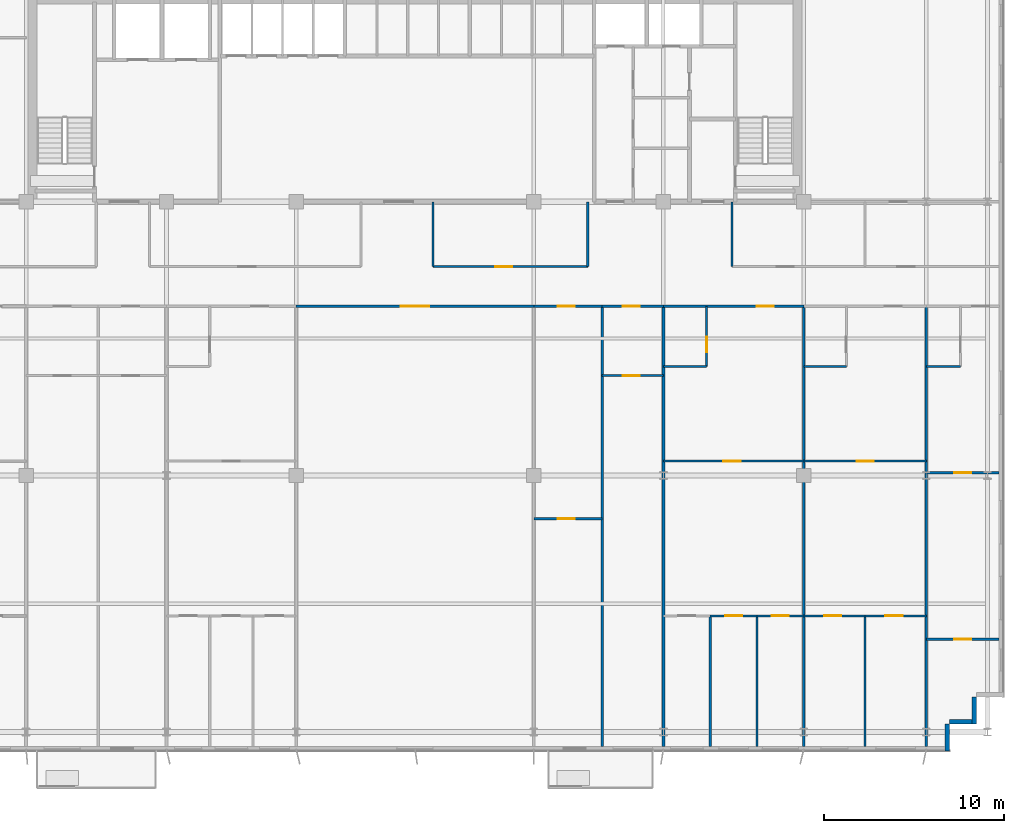
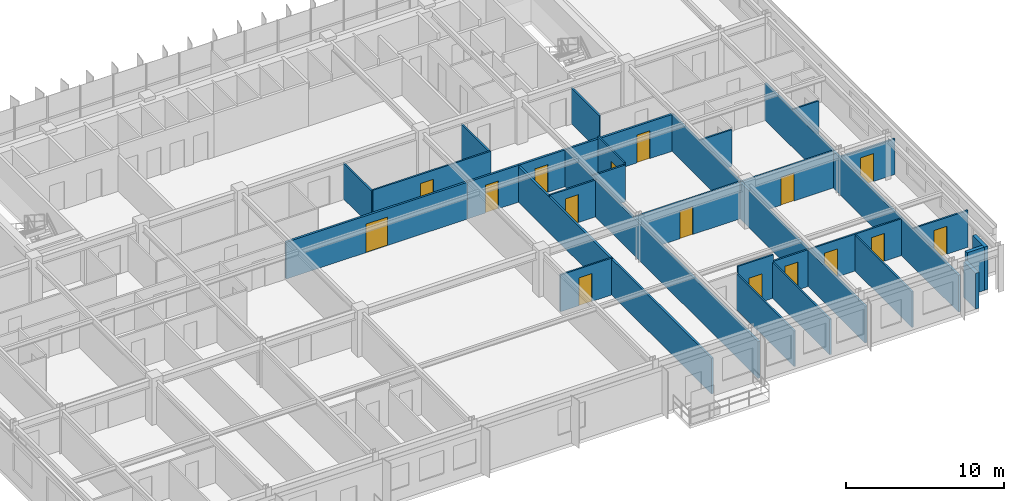
# One storey, part 16 of 22: 32 walls, 16 doors, 16 openings.
"""IFC4 building model written with IfcOpenShell, lengths in metres."""

import ifcopenshell
import ifcopenshell.guid

model = None  # the IFC model being written
_history = None  # IfcOwnerHistory: only IFC2X3 demands one
_inside = {}  # id of a spatial element -> (the spatial element, [elements in it])
_under = {}  # id of a project, library or spatial element -> (it, [spatial elements below it])
_declared = {}  # id of a project -> (the project, [libraries it declares])
_typed = {}  # id of a type object -> (the type object, [elements of that type])
_made_of = {}  # id of a material, layer set ... -> (it, [elements and type objects made of it])


def new_model(schema):
    """Start an empty IFC model of exactly this schema.

    Asked for "IFC4X3", IfcOpenShell would pick the latest addendum, in which some entities
    have other attributes; the version numbers below select the first issue.
    IFC2X3 requires an IfcOwnerHistory on every rooted entity: one is made here for all.
    """
    global model, _history
    if schema == "IFC4X3":
        model = ifcopenshell.file(schema_version=(4, 3, 0, 0))
    else:
        model = ifcopenshell.file(schema=schema)
    _inside.clear()
    _under.clear()
    _declared.clear()
    _typed.clear()
    _made_of.clear()
    _history = None
    if model.schema == "IFC2X3":
        org = make("IfcOrganization", Name="unknown")
        user = make(
            "IfcPersonAndOrganization",
            ThePerson=make("IfcPerson", FamilyName="unknown"),
            TheOrganization=org,
        )
        app = make(
            "IfcApplication",
            ApplicationDeveloper=org,
            Version="unknown",
            ApplicationFullName="unknown",
            ApplicationIdentifier="unknown",
        )
        _history = make(
            "IfcOwnerHistory",
            OwningUser=user,
            OwningApplication=app,
            ChangeAction="ADDED",
            CreationDate=0,
        )
    return model


def make(cls, **values):
    """One entity of the class cls with the attributes given. An attribute that is None is left unset."""
    return model.create_entity(
        cls, **{name: value for name, value in values.items() if value is not None}
    )


def rooted(cls, **values):
    """An entity with a GlobalId (a new one), such as an element, a storey or a relation."""
    return make(cls, GlobalId=ifcopenshell.guid.new(), OwnerHistory=_history, **values)


def si_unit(unit_type, name, prefix=None):
    """IfcSIUnit, for example si_unit("LENGTHUNIT", "METRE", prefix="MILLI")."""
    return make("IfcSIUnit", UnitType=unit_type, Prefix=prefix, Name=name)


def assignment(units):
    """IfcUnitAssignment: the units of a project."""
    return None if units is None else make("IfcUnitAssignment", Units=units)


def point(xyz):
    """IfcCartesianPoint."""
    return None if xyz is None else make("IfcCartesianPoint", Coordinates=xyz)


def direction(xyz):
    """IfcDirection."""
    return None if xyz is None else make("IfcDirection", DirectionRatios=xyz)


def frame(location, z_axis=None, x_axis=None):
    """IfcAxis2Placement3D, a coordinate frame: its origin and axes. An axis left out is left unset."""
    return make(
        "IfcAxis2Placement3D",
        Location=point(location),
        Axis=direction(z_axis),
        RefDirection=direction(x_axis),
    )


def frame_2d(location, x_axis=None):
    """IfcAxis2Placement2D, a coordinate frame in the plane: its origin and x axis."""
    return make(
        "IfcAxis2Placement2D", Location=point(location), RefDirection=direction(x_axis)
    )


def origin():
    """The frame at (0, 0, 0) with its axes left unset."""
    return frame((0.0, 0.0, 0.0))


def place(relative_to, where):
    """IfcLocalPlacement: puts the frame where relative to a parent placement (None: the world)."""
    return make(
        "IfcLocalPlacement", PlacementRelTo=relative_to, RelativePlacement=where
    )


def context(
    kind, dimensions, precision=None, world=None, true_north=None, identifier=None
):
    """IfcGeometricRepresentationContext, for example the 3D "Model" context."""
    return make(
        "IfcGeometricRepresentationContext",
        ContextIdentifier=identifier,
        ContextType=kind,
        CoordinateSpaceDimension=dimensions,
        Precision=precision,
        WorldCoordinateSystem=world,
        TrueNorth=true_north,
    )


def subcontext(parent, identifier, kind, view, scale=None):
    """IfcGeometricRepresentationSubContext, for example "Body" below "Model"."""
    return make(
        "IfcGeometricRepresentationSubContext",
        ContextIdentifier=identifier,
        ContextType=kind,
        ParentContext=parent,
        TargetScale=scale,
        TargetView=view,
    )


def project(units=None, contexts=None):
    """IfcProject with its units and contexts."""
    return rooted(
        "IfcProject",
        Name="project",
        RepresentationContexts=contexts,
        UnitsInContext=assignment(units),
    )


def spatial(cls, under=None, at=None, **own):
    """A site, building, storey or space (cls), placed at a placement, below another one or the project."""
    s = rooted(cls, ObjectPlacement=at, **own)
    if under is not None:
        _under.setdefault(under.id(), (under, []))[1].append(s)
    return s


def profile(cls, at=None, kind="AREA", **sizes):
    """A parametric profile (cls). Its sizes go by their IFC names, for example OverallWidth=200.0."""
    return make(cls, ProfileType=kind, Position=at, **sizes)


def rectangle(**sizes):
    """IfcRectangleProfileDef."""
    return profile("IfcRectangleProfileDef", **sizes)


def extrude(swept, where, along, depth):
    """IfcExtrudedAreaSolid: the profile swept, set in the frame where, extruded along a direction by depth."""
    return make(
        "IfcExtrudedAreaSolid",
        SweptArea=swept,
        Position=where,
        ExtrudedDirection=direction(along),
        Depth=depth,
    )


def shape(context_of_items, identifier, shape_type, items):
    """IfcShapeRepresentation: the items that make up one representation, for example the "Body"."""
    return make(
        "IfcShapeRepresentation",
        ContextOfItems=context_of_items,
        RepresentationIdentifier=identifier,
        RepresentationType=shape_type,
        Items=items,
    )


def source(mapping_origin, context_of_items, identifier, shape_type, items):
    """IfcRepresentationMap: a shape defined once, which mapped items show again and again."""
    return make(
        "IfcRepresentationMap",
        MappingOrigin=mapping_origin,
        MappedRepresentation=shape(context_of_items, identifier, shape_type, items),
    )


def transform(
    local_origin,
    x_axis=None,
    y_axis=None,
    z_axis=None,
    scale=None,
    scale2=None,
    scale3=None,
    uniform=True,
):
    """IfcCartesianTransformationOperator3D, or its non-uniform kind. x_axis, y_axis, z_axis: its Axis1, 2, 3."""
    if uniform:
        return make(
            "IfcCartesianTransformationOperator3D",
            Axis1=direction(x_axis),
            Axis2=direction(y_axis),
            LocalOrigin=point(local_origin),
            Scale=scale,
            Axis3=direction(z_axis),
        )
    return make(
        "IfcCartesianTransformationOperator3DnonUniform",
        Axis1=direction(x_axis),
        Axis2=direction(y_axis),
        LocalOrigin=point(local_origin),
        Scale=scale,
        Axis3=direction(z_axis),
        Scale2=scale2,
        Scale3=scale3,
    )


def mapped(mapping_source, mapping_target):
    """IfcMappedItem: shows the shape of a source again, moved by a transform."""
    return make(
        "IfcMappedItem", MappingSource=mapping_source, MappingTarget=mapping_target
    )


def material(Name=None, Category=None):
    """IfcMaterial."""
    return make("IfcMaterial", Name=Name, Category=Category)


def layer(
    of_material, thickness, ventilated=None, Name=None, Category=None, Priority=None
):
    """IfcMaterialLayer: one layer of a wall or slab, of a material (None: an air gap)."""
    return make(
        "IfcMaterialLayer",
        Material=of_material,
        LayerThickness=thickness,
        IsVentilated=ventilated,
        Name=Name,
        Category=Category,
        Priority=Priority,
    )


def layer_set(layers, Name=None):
    """IfcMaterialLayerSet."""
    return make("IfcMaterialLayerSet", MaterialLayers=layers, LayerSetName=Name)


def made_of(thing, what):
    """Note that an element or type object is made of a material, layer set ...; save() writes the relation."""
    if what is not None:
        _made_of.setdefault(what.id(), (what, []))[1].append(thing)
    return thing


def type_object(cls, material=None, **own):
    """A type object (cls), such as IfcWallType, which elements share."""
    return made_of(rooted(cls, **own), material)


def element(
    cls,
    number,
    at=None,
    inside=None,
    cuts=None,
    type_object=None,
    material=None,
    context=None,
    identifier="Body",
    shape_type=None,
    held_by="IfcProductDefinitionShape",
    body=None,
    shapes=None,
    **own,
):
    """One element of the class cls, such as IfcWall. Its Tag is "e" and its number.

    at: its placement. inside: the storey or other place that contains it. cuts: it is an
    opening in that element (IfcRelVoidsElement). A single representation is given by context,
    identifier, shape_type and body (its items); several are given by shapes. held_by: the class
    of the entity that holds the representations. save() writes the other relations.
    """
    e = rooted(cls, Tag="e%d" % number, ObjectPlacement=at, **own)
    if body is not None:
        shapes = [shape(context, identifier, shape_type, body)]
    if shapes is not None:
        e.Representation = make(held_by, Representations=shapes)
    if inside is not None:
        _inside.setdefault(inside.id(), (inside, []))[1].append(e)
    if cuts is not None:
        rooted(
            "IfcRelVoidsElement", RelatingBuildingElement=cuts, RelatedOpeningElement=e
        )
    if type_object is not None:
        _typed.setdefault(type_object.id(), (type_object, []))[1].append(e)
    return made_of(e, material)


def fill(opening, filler):
    """IfcRelFillsElement: the door or window that sits in an opening."""
    return rooted(
        "IfcRelFillsElement",
        RelatingOpeningElement=opening,
        RelatedBuildingElement=filler,
    )


def aggregate(whole, parts):
    """IfcRelAggregates: a whole, such as a stair, and the parts it consists of."""
    return rooted("IfcRelAggregates", RelatingObject=whole, RelatedObjects=parts)


def save(model, path):
    """Write the relations noted so far, then the file.

    IfcRelAggregates (storeys below a building ...), IfcRelContainedInSpatialStructure (elements
    in a storey), IfcRelDefinesByType, IfcRelAssociatesMaterial and IfcRelDeclares: one each for
    every whole, place, type object, material and project.
    """
    for whole, parts in _under.values():
        aggregate(whole, parts)
    for where, things in _inside.values():
        rooted(
            "IfcRelContainedInSpatialStructure",
            RelatedElements=things,
            RelatingStructure=where,
        )
    for kind, things in _typed.values():
        rooted("IfcRelDefinesByType", RelatedObjects=things, RelatingType=kind)
    for what, things in _made_of.values():
        rooted("IfcRelAssociatesMaterial", RelatedObjects=things, RelatingMaterial=what)
    for by, libraries in _declared.values():
        rooted("IfcRelDeclares", RelatingContext=by, RelatedDefinitions=libraries)
    model.write(path)


model = new_model("IFC4")

# Units and contexts
model_context = context("Model", 3, precision=1e-05, world=origin(), true_north=direction((0.0, 1.0)))
body_context = subcontext(model_context, "Body", "Model", "MODEL_VIEW")
ifc_project = project(units=[si_unit("LENGTHUNIT", "METRE"), si_unit("AREAUNIT", "SQUARE_METRE"), si_unit("VOLUMEUNIT", "CUBIC_METRE"), si_unit("PLANEANGLEUNIT", "RADIAN"), si_unit("MASSUNIT", "GRAM", prefix="KILO")], contexts=[model_context])

# Site, building, storey
site_placement = place(None, origin())
site = spatial("IfcSite", under=ifc_project, at=site_placement, CompositionType="ELEMENT")
building_placement = place(site_placement, origin())
building = spatial("IfcBuilding", under=site, at=building_placement, Name="Trelvane Seafront Commons", CompositionType="ELEMENT")
storey_placement = place(building_placement, frame((0.0, 0.0, 99.699951171875)))
storey = spatial("IfcBuildingStorey", under=building, at=storey_placement, Name="L25", CompositionType="ELEMENT", Elevation=99.699951171875)

# Walls
ifc_material_1 = material(Name="Precast concrete C40/50", Category="concrete")
ifc_layer_1 = layer(ifc_material_1, 0.260009765625, Name="ARCH-WALL-EXT260")
ifc_layer_set_1 = layer_set([ifc_layer_1], Name="Precast concrete C40/50")
wall_type_1 = type_object("IfcWallType", Name="ARCH-WALL-EXT260", PredefinedType="SOLIDWALL", material=ifc_layer_set_1)
for number, where, z_axis, x_axis, name in (
    (1, (68.27001953125, 5.89990234375, 0.0), (0.0, 0.0, 1.0), (0.0, -1.0, 0.0), "EW-L25-00470"),
    (2, (68.39990234375, 4.530029296875, 0.0), (0.0, 0.0, 1.0), (-1.0, 0.0, 0.0), "EW-L25-00471"),
):
    element("IfcWall", number, at=place(storey_placement, frame(where, z_axis=z_axis, x_axis=x_axis)), inside=storey, type_object=wall_type_1, Name=name, PredefinedType="SOLIDWALL", context=body_context, shape_type="SweptSolid", body=[
        extrude(rectangle(XDim=1.5, YDim=0.260009765625, at=frame_2d((0.75, 0.0))), origin(), (0.0, 0.0, 1.0), 3.340087890625),
    ])
wall_1_placement = place(storey_placement, frame((66.77001953125, 4.39990234375, 0.0), z_axis=(0.0, 0.0, 1.0), x_axis=(0.0, -1.0, 0.0)))
element("IfcWall", 3, at=wall_1_placement, inside=storey, type_object=wall_type_1, Name="EW-L25-00472", PredefinedType="SOLIDWALL", context=body_context, shape_type="SweptSolid", body=[
    extrude(rectangle(XDim=1.5, YDim=0.260009765625, at=frame_2d((0.75, 0.0))), origin(), (0.0, 0.0, 1.0), 2.751953125),
])

# Wall, opening, door
ifc_material_2 = material(Name="Gypsum Drywall Acoustic Partition")
ifc_layer_2 = layer(ifc_material_2, 0.1201171875, Name="ARCH-WALL-PART120")
ifc_layer_set_2 = layer_set([ifc_layer_2], Name="Gypsum Drywall Acoustic Partition")
wall_type_2 = type_object("IfcWallType", Name="ARCH-WALL-PART120", PredefinedType="PARTITIONING", material=ifc_layer_set_2)
wall_2_placement = place(storey_placement, frame((38.199951171875, 29.800048828125, 0.0), z_axis=(0.0, 0.0, 1.0), x_axis=(1.0, 0.0, 0.0)))
wall_2 = element("IfcWall", 4, at=wall_2_placement, inside=storey, type_object=wall_type_2, Name="W-L25-CORR-N-M2-041", PredefinedType="PARTITIONING", context=body_context, shape_type="SweptSolid", body=[
    extrude(rectangle(XDim=8.60009765625, YDim=0.1201171875, at=frame_2d((4.300048828125, 0.0))), origin(), (0.0, 0.0, 1.0), 2.840087890625),
])
opening_1_placement = place(wall_2_placement, frame((3.4619140625, 0.0, 0.0)))
opening_1 = element("IfcOpeningElement", 5, at=opening_1_placement, cuts=wall_2, Name="Opening D-L25-21", PredefinedType="OPENING", context=body_context, shape_type="SweptSolid", body=[
    extrude(rectangle(XDim=0.949951171875, YDim=2.14990234375, at=frame_2d((0.47509765625, 1.074951171875))), frame((0.0, 0.070068359375, 0.0), z_axis=(0.0, -1.0, 0.0), x_axis=(1.0, 0.0, 0.0)), (0.0, 0.0, 1.0), 0.14013671875),
])
ifc_material_3 = material(Name="Acoustic timber door leaf", Category="wood")
door_type_1 = type_object("IfcDoorType", Name="ARCH-DR-INT950", OperationType="NOTDEFINED", PredefinedType="DOOR", material=ifc_material_3)
shared_shape_1 = source(origin(), body_context, "Body", "SweptSolid", [
    extrude(rectangle(XDim=0.949951171875, YDim=2.14990234375, at=frame_2d((0.47509765625, 1.074951171875))), frame((0.0, 0.02490234375, 0.0), z_axis=(0.0, -1.0, 0.0), x_axis=(1.0, 0.0, 0.0)), (0.0, 0.0, 1.0), 0.050048828125),
])
door_1_placement = place(opening_1_placement, origin())
door_1 = element("IfcDoor", 6, at=door_1_placement, inside=storey, type_object=door_type_1, Name="L25 Door 21", OperationType="SINGLE_SWING_LEFT", OverallHeight=2.14990234375, OverallWidth=0.949951171875, PredefinedType="DOOR", context=body_context, shape_type="MappedRepresentation", body=[
    mapped(shared_shape_1, transform((0.0, 0.0, 0.0), x_axis=(1.0, 0.0, 0.0), y_axis=(0.0, 1.0, 0.0), z_axis=(0.0, 0.0, 1.0), scale=1.0)),
])
fill(opening_1, door_1)

# Walls
for number, where, z_axis, x_axis, name in (
    (7, (38.199951171875, 29.800048828125, 0.0), (0.0, 0.0, 1.0), (0.0, 1.0, 0.0), "W-L25-N-SPUR-M2-047"),
    (8, (46.800048828125, 29.800048828125, 0.0), (0.0, 0.0, 1.0), (0.0, 1.0, 0.0), "W-L25-N-SPUR-E1-048"),
    (9, (54.800048828125, 29.800048828125, 0.0), (0.0, 0.0, 1.0), (0.0, 1.0, 0.0), "W-L25-N-SPUR-E2-049"),
):
    element("IfcWall", number, at=place(storey_placement, frame(where, z_axis=z_axis, x_axis=x_axis)), inside=storey, type_object=wall_type_2, Name=name, PredefinedType="PARTITIONING", context=body_context, shape_type="SweptSolid", body=[
        extrude(rectangle(XDim=3.599853515625, YDim=0.1201171875, at=frame_2d((1.7998046875, 0.0))), origin(), (0.0, 0.0, 1.0), 2.751953125),
    ])

# Wall, opening, door
wall_3_placement = place(storey_placement, frame((43.800048828125, 15.800048828125, 0.0), z_axis=(0.0, 0.0, 1.0), x_axis=(1.0, 0.0, 0.0)))
wall_3 = element("IfcWall", 10, at=wall_3_placement, inside=storey, type_object=wall_type_2, Name="W-L25-U7-DIV-097", PredefinedType="PARTITIONING", context=body_context, shape_type="SweptSolid", body=[
    extrude(rectangle(XDim=3.800048828125, YDim=0.1201171875, at=frame_2d((1.89990234375, 0.0))), origin(), (0.0, 0.0, 1.0), 2.840087890625),
])
opening_2_placement = place(wall_3_placement, frame((1.330078125, 0.0, 0.0)))
opening_2 = element("IfcOpeningElement", 11, at=opening_2_placement, cuts=wall_3, Name="Opening D-L25-53", PredefinedType="OPENING", context=body_context, shape_type="SweptSolid", body=[
    extrude(rectangle(XDim=0.949951171875, YDim=2.14990234375, at=frame_2d((0.47509765625, 1.074951171875))), frame((0.0, 0.070068359375, 0.0), z_axis=(0.0, -1.0, 0.0), x_axis=(1.0, 0.0, 0.0)), (0.0, 0.0, 1.0), 0.14013671875),
])
door_2_placement = place(opening_2_placement, origin())
door_2 = element("IfcDoor", 12, at=door_2_placement, inside=storey, type_object=door_type_1, Name="L25 Door 53", OperationType="SINGLE_SWING_LEFT", OverallHeight=2.14990234375, OverallWidth=0.949951171875, PredefinedType="DOOR", context=body_context, shape_type="MappedRepresentation", body=[
    mapped(shared_shape_1, transform((0.0, 0.0, 0.0), x_axis=(1.0, 0.0, 0.0), y_axis=(0.0, 1.0, 0.0), z_axis=(0.0, 0.0, 1.0), scale=1.0)),
])
fill(opening_2, door_2)

wall_4_placement = place(storey_placement, frame((47.60009765625, 23.75, 0.0), z_axis=(0.0, 0.0, 1.0), x_axis=(1.0, 0.0, 0.0)))
wall_4 = element("IfcWall", 13, at=wall_4_placement, inside=storey, type_object=wall_type_2, Name="W-L25-U8-DIV-099", PredefinedType="PARTITIONING", context=body_context, shape_type="SweptSolid", body=[
    extrude(rectangle(XDim=3.39990234375, YDim=0.1201171875, at=frame_2d((1.699951171875, 0.0))), origin(), (0.0, 0.0, 1.0), 2.840087890625),
])
opening_3_placement = place(wall_4_placement, frame((1.131103515625, 0.0, 0.0)))
opening_3 = element("IfcOpeningElement", 14, at=opening_3_placement, cuts=wall_4, Name="Opening D-L25-55", PredefinedType="OPENING", context=body_context, shape_type="SweptSolid", body=[
    extrude(rectangle(XDim=0.949951171875, YDim=2.14990234375, at=frame_2d((0.47509765625, 1.074951171875))), frame((0.0, 0.070068359375, 0.0), z_axis=(0.0, -1.0, 0.0), x_axis=(1.0, 0.0, 0.0)), (0.0, 0.0, 1.0), 0.14013671875),
])
door_3_placement = place(opening_3_placement, origin())
door_3 = element("IfcDoor", 15, at=door_3_placement, inside=storey, type_object=door_type_1, Name="L25 Door 55", OperationType="SINGLE_SWING_LEFT", OverallHeight=2.14990234375, OverallWidth=0.949951171875, PredefinedType="DOOR", context=body_context, shape_type="MappedRepresentation", body=[
    mapped(shared_shape_1, transform((0.0, 0.0, 0.0), x_axis=(1.0, 0.0, 0.0), y_axis=(0.0, 1.0, 0.0), z_axis=(0.0, 0.0, 1.0), scale=1.0)),
])
fill(opening_3, door_3)

wall_5_placement = place(storey_placement, frame((51.0, 19.0, 0.0), z_axis=(0.0, 0.0, 1.0), x_axis=(1.0, 0.0, 0.0)))
wall_5 = element("IfcWall", 16, at=wall_5_placement, inside=storey, type_object=wall_type_2, Name="W-L25-U9-KL-100", PredefinedType="PARTITIONING", context=body_context, shape_type="SweptSolid", body=[
    extrude(rectangle(XDim=7.800048828125, YDim=0.1201171875, at=frame_2d((3.89990234375, 0.0))), origin(), (0.0, 0.0, 1.0), 2.840087890625),
])
opening_4_placement = place(wall_5_placement, frame((3.3330078125, 0.0, 0.0)))
opening_4 = element("IfcOpeningElement", 17, at=opening_4_placement, cuts=wall_5, Name="Opening D-L25-56", PredefinedType="OPENING", context=body_context, shape_type="SweptSolid", body=[
    extrude(rectangle(XDim=0.949951171875, YDim=2.14990234375, at=frame_2d((0.47509765625, 1.074951171875))), frame((0.0, 0.070068359375, 0.0), z_axis=(0.0, -1.0, 0.0), x_axis=(1.0, 0.0, 0.0)), (0.0, 0.0, 1.0), 0.14013671875),
])
door_4_placement = place(opening_4_placement, origin())
door_4 = element("IfcDoor", 18, at=door_4_placement, inside=storey, type_object=door_type_1, Name="L25 Door 56", OperationType="SINGLE_SWING_RIGHT", OverallHeight=2.14990234375, OverallWidth=0.949951171875, PredefinedType="DOOR", context=body_context, shape_type="MappedRepresentation", body=[
    mapped(shared_shape_1, transform((0.0, 0.0, 0.0), x_axis=(1.0, 0.0, 0.0), y_axis=(0.0, 1.0, 0.0), z_axis=(0.0, 0.0, 1.0), scale=1.0)),
])
fill(opening_4, door_4)

wall_6_placement = place(storey_placement, frame((53.39990234375, 24.25, 0.0), z_axis=(0.0, 0.0, 1.0), x_axis=(0.0, 1.0, 0.0)))
wall_6 = element("IfcWall", 19, at=wall_6_placement, inside=storey, type_object=wall_type_2, Name="W-L25-U9-BE-101", PredefinedType="PARTITIONING", context=body_context, shape_type="SweptSolid", body=[
    extrude(rectangle(XDim=3.35009765625, YDim=0.1201171875, at=frame_2d((1.675048828125, 0.0))), origin(), (0.0, 0.0, 1.0), 2.989990234375),
])
opening_5_placement = place(wall_6_placement, frame((0.800048828125, 0.0, 0.0)))
opening_5 = element("IfcOpeningElement", 20, at=opening_5_placement, cuts=wall_6, Name="Opening D-L25-57", PredefinedType="OPENING", context=body_context, shape_type="SweptSolid", body=[
    extrude(rectangle(XDim=0.85009765625, YDim=2.10009765625, at=frame_2d((0.425048828125, 1.050048828125))), frame((0.0, 0.070068359375, 0.0), z_axis=(0.0, -1.0, 0.0), x_axis=(1.0, 0.0, 0.0)), (0.0, 0.0, 1.0), 0.14013671875),
])
door_type_2 = type_object("IfcDoorType", Name="ARCH-DR-INT850", OperationType="NOTDEFINED", PredefinedType="DOOR", material=ifc_material_3)
shared_shape_2 = source(origin(), body_context, "Body", "SweptSolid", [
    extrude(rectangle(XDim=0.85009765625, YDim=2.10009765625, at=frame_2d((0.425048828125, 1.050048828125))), frame((0.0, 0.02490234375, 0.0), z_axis=(0.0, -1.0, 0.0), x_axis=(1.0, 0.0, 0.0)), (0.0, 0.0, 1.0), 0.050048828125),
])
door_5_placement = place(opening_5_placement, origin())
door_5 = element("IfcDoor", 21, at=door_5_placement, inside=storey, type_object=door_type_2, Name="L25 Door 57", OperationType="SINGLE_SWING_LEFT", OverallHeight=2.10009765625, OverallWidth=0.85009765625, PredefinedType="DOOR", context=body_context, shape_type="MappedRepresentation", body=[
    mapped(shared_shape_2, transform((0.0, 0.0, 0.0), x_axis=(1.0, 0.0, 0.0), y_axis=(0.0, 1.0, 0.0), z_axis=(0.0, 0.0, 1.0), scale=1.0)),
])
fill(opening_5, door_5)

# Wall
wall_7_placement = place(storey_placement, frame((51.0, 24.25, 0.0), z_axis=(0.0, 0.0, 1.0), x_axis=(1.0, 0.0, 0.0)))
element("IfcWall", 22, at=wall_7_placement, inside=storey, type_object=wall_type_2, Name="W-L25-U9-BS-102", PredefinedType="PARTITIONING", context=body_context, shape_type="SweptSolid", body=[
    extrude(rectangle(XDim=2.39990234375, YDim=0.1201171875, at=frame_2d((1.199951171875, 0.0))), origin(), (0.0, 0.0, 1.0), 2.840087890625),
])

# Wall, opening, door
wall_8_placement = place(storey_placement, frame((53.60009765625, 10.39990234375, 0.0), z_axis=(0.0, 0.0, 1.0), x_axis=(1.0, 0.0, 0.0)))
wall_8 = element("IfcWall", 23, at=wall_8_placement, inside=storey, type_object=wall_type_2, Name="W-L25-U9-YM-2-105", PredefinedType="PARTITIONING", context=body_context, shape_type="SweptSolid", body=[
    extrude(rectangle(XDim=2.599853515625, YDim=0.1201171875, at=frame_2d((1.2998046875, 0.0))), origin(), (0.0, 0.0, 1.0), 3.340087890625),
])
opening_6_placement = place(wall_8_placement, frame((0.824951171875, 0.0, 0.0)))
opening_6 = element("IfcOpeningElement", 24, at=opening_6_placement, cuts=wall_8, Name="Opening D-L25-60", PredefinedType="OPENING", context=body_context, shape_type="SweptSolid", body=[
    extrude(rectangle(XDim=0.949951171875, YDim=2.14990234375, at=frame_2d((0.47509765625, 1.074951171875))), frame((0.0, 0.070068359375, 0.0), z_axis=(0.0, -1.0, 0.0), x_axis=(1.0, 0.0, 0.0)), (0.0, 0.0, 1.0), 0.14013671875),
])
door_6_placement = place(opening_6_placement, origin())
door_6 = element("IfcDoor", 25, at=door_6_placement, inside=storey, type_object=door_type_1, Name="L25 Door 60", OperationType="SINGLE_SWING_RIGHT", OverallHeight=2.14990234375, OverallWidth=0.949951171875, PredefinedType="DOOR", context=body_context, shape_type="MappedRepresentation", body=[
    mapped(shared_shape_1, transform((0.0, 0.0, 0.0), x_axis=(1.0, 0.0, 0.0), y_axis=(0.0, 1.0, 0.0), z_axis=(0.0, 0.0, 1.0), scale=1.0)),
])
fill(opening_6, door_6)

# Wall
wall_9_placement = place(storey_placement, frame((53.60009765625, 3.14501953125, 0.0), z_axis=(0.0, 0.0, 1.0), x_axis=(0.0, 1.0, 0.0)))
element("IfcWall", 26, at=wall_9_placement, inside=storey, type_object=wall_type_2, Name="W-L25-U9-BDV-1-106", PredefinedType="PARTITIONING", context=body_context, shape_type="SweptSolid", body=[
    extrude(rectangle(XDim=7.2548828125, YDim=0.1201171875, at=frame_2d((3.62744140625, 0.0))), origin(), (0.0, 0.0, 1.0), 2.751953125),
])

# Wall, opening, door
wall_10_placement = place(storey_placement, frame((56.199951171875, 10.39990234375, 0.0), z_axis=(0.0, 0.0, 1.0), x_axis=(1.0, 0.0, 0.0)))
wall_10 = element("IfcWall", 27, at=wall_10_placement, inside=storey, type_object=wall_type_2, Name="W-L25-U9-YM-3-107", PredefinedType="PARTITIONING", context=body_context, shape_type="SweptSolid", body=[
    extrude(rectangle(XDim=2.60009765625, YDim=0.1201171875, at=frame_2d((1.300048828125, 0.0))), origin(), (0.0, 0.0, 1.0), 2.840087890625),
])
opening_7_placement = place(wall_10_placement, frame((0.824951171875, 0.0, 0.0)))
opening_7 = element("IfcOpeningElement", 28, at=opening_7_placement, cuts=wall_10, Name="Opening D-L25-61", PredefinedType="OPENING", context=body_context, shape_type="SweptSolid", body=[
    extrude(rectangle(XDim=0.949951171875, YDim=2.14990234375, at=frame_2d((0.47509765625, 1.074951171875))), frame((0.0, 0.070068359375, 0.0), z_axis=(0.0, -1.0, 0.0), x_axis=(1.0, 0.0, 0.0)), (0.0, 0.0, 1.0), 0.14013671875),
])
door_7_placement = place(opening_7_placement, origin())
door_7 = element("IfcDoor", 29, at=door_7_placement, inside=storey, type_object=door_type_1, Name="L25 Door 61", OperationType="SINGLE_SWING_LEFT", OverallHeight=2.14990234375, OverallWidth=0.949951171875, PredefinedType="DOOR", context=body_context, shape_type="MappedRepresentation", body=[
    mapped(shared_shape_1, transform((0.0, 0.0, 0.0), x_axis=(1.0, 0.0, 0.0), y_axis=(0.0, 1.0, 0.0), z_axis=(0.0, 0.0, 1.0), scale=1.0)),
])
fill(opening_7, door_7)

# Wall
wall_11_placement = place(storey_placement, frame((56.199951171875, 3.14501953125, 0.0), z_axis=(0.0, 0.0, 1.0), x_axis=(0.0, 1.0, 0.0)))
element("IfcWall", 30, at=wall_11_placement, inside=storey, type_object=wall_type_2, Name="W-L25-U9-BDV-2-108", PredefinedType="PARTITIONING", context=body_context, shape_type="SweptSolid", body=[
    extrude(rectangle(XDim=7.2548828125, YDim=0.1201171875, at=frame_2d((3.62744140625, 0.0))), origin(), (0.0, 0.0, 1.0), 2.751953125),
])

# Wall, opening, door
wall_12_placement = place(storey_placement, frame((58.800048828125, 19.0, 0.0), z_axis=(0.0, 0.0, 1.0), x_axis=(1.0, 0.0, 0.0)))
wall_12 = element("IfcWall", 31, at=wall_12_placement, inside=storey, type_object=wall_type_2, Name="W-L25-U10-KL-109", PredefinedType="PARTITIONING", context=body_context, shape_type="SweptSolid", body=[
    extrude(rectangle(XDim=6.800048828125, YDim=0.1201171875, at=frame_2d((3.39990234375, 0.0))), origin(), (0.0, 0.0, 1.0), 2.840087890625),
])
opening_8_placement = place(wall_12_placement, frame((2.925048828125, 0.0, 0.0)))
opening_8 = element("IfcOpeningElement", 32, at=opening_8_placement, cuts=wall_12, Name="Opening D-L25-62", PredefinedType="OPENING", context=body_context, shape_type="SweptSolid", body=[
    extrude(rectangle(XDim=0.949951171875, YDim=2.14990234375, at=frame_2d((0.47509765625, 1.074951171875))), frame((0.0, 0.070068359375, 0.0), z_axis=(0.0, -1.0, 0.0), x_axis=(1.0, 0.0, 0.0)), (0.0, 0.0, 1.0), 0.14013671875),
])
door_8_placement = place(opening_8_placement, origin())
door_8 = element("IfcDoor", 33, at=door_8_placement, inside=storey, type_object=door_type_1, Name="L25 Door 62", OperationType="SINGLE_SWING_RIGHT", OverallHeight=2.14990234375, OverallWidth=0.949951171875, PredefinedType="DOOR", context=body_context, shape_type="MappedRepresentation", body=[
    mapped(shared_shape_1, transform((0.0, 0.0, 0.0), x_axis=(1.0, 0.0, 0.0), y_axis=(0.0, 1.0, 0.0), z_axis=(0.0, 0.0, 1.0), scale=1.0)),
])
fill(opening_8, door_8)

# Wall
wall_13_placement = place(storey_placement, frame((58.800048828125, 24.25, 0.0), z_axis=(0.0, 0.0, 1.0), x_axis=(1.0, 0.0, 0.0)))
element("IfcWall", 34, at=wall_13_placement, inside=storey, type_object=wall_type_2, Name="W-L25-U10-BS-111", PredefinedType="PARTITIONING", context=body_context, shape_type="SweptSolid", body=[
    extrude(rectangle(XDim=2.362060546875, YDim=0.1201171875, at=frame_2d((1.18115234375, 0.0))), origin(), (0.0, 0.0, 1.0), 2.840087890625),
])

# Wall, opening, door
wall_14_placement = place(storey_placement, frame((58.800048828125, 10.39990234375, 0.0), z_axis=(0.0, 0.0, 1.0), x_axis=(1.0, 0.0, 0.0)))
wall_14 = element("IfcWall", 35, at=wall_14_placement, inside=storey, type_object=wall_type_2, Name="W-L25-U10-YM-1-113", PredefinedType="PARTITIONING", context=body_context, shape_type="SweptSolid", body=[
    extrude(rectangle(XDim=3.39990234375, YDim=0.1201171875, at=frame_2d((1.699951171875, 0.0))), origin(), (0.0, 0.0, 1.0), 2.840087890625),
])
opening_9_placement = place(wall_14_placement, frame((1.131103515625, 0.0, 0.0)))
opening_9 = element("IfcOpeningElement", 36, at=opening_9_placement, cuts=wall_14, Name="Opening D-L25-65", PredefinedType="OPENING", context=body_context, shape_type="SweptSolid", body=[
    extrude(rectangle(XDim=0.949951171875, YDim=2.14990234375, at=frame_2d((0.47509765625, 1.074951171875))), frame((0.0, 0.070068359375, 0.0), z_axis=(0.0, -1.0, 0.0), x_axis=(1.0, 0.0, 0.0)), (0.0, 0.0, 1.0), 0.14013671875),
])
door_9_placement = place(opening_9_placement, origin())
door_9 = element("IfcDoor", 37, at=door_9_placement, inside=storey, type_object=door_type_1, Name="L25 Door 65", OperationType="SINGLE_SWING_LEFT", OverallHeight=2.14990234375, OverallWidth=0.949951171875, PredefinedType="DOOR", context=body_context, shape_type="MappedRepresentation", body=[
    mapped(shared_shape_1, transform((0.0, 0.0, 0.0), x_axis=(1.0, 0.0, 0.0), y_axis=(0.0, 1.0, 0.0), z_axis=(0.0, 0.0, 1.0), scale=1.0)),
])
fill(opening_9, door_9)

wall_15_placement = place(storey_placement, frame((62.199951171875, 10.39990234375, 0.0), z_axis=(0.0, 0.0, 1.0), x_axis=(1.0, 0.0, 0.0)))
wall_15 = element("IfcWall", 38, at=wall_15_placement, inside=storey, type_object=wall_type_2, Name="W-L25-U10-YM-2-114", PredefinedType="PARTITIONING", context=body_context, shape_type="SweptSolid", body=[
    extrude(rectangle(XDim=3.400146484375, YDim=0.1201171875, at=frame_2d((1.7001953125, 0.0))), origin(), (0.0, 0.0, 1.0), 2.840087890625),
])
opening_10_placement = place(wall_15_placement, frame((1.131103515625, 0.0, 0.0)))
opening_10 = element("IfcOpeningElement", 39, at=opening_10_placement, cuts=wall_15, Name="Opening D-L25-66", PredefinedType="OPENING", context=body_context, shape_type="SweptSolid", body=[
    extrude(rectangle(XDim=0.949951171875, YDim=2.14990234375, at=frame_2d((0.47509765625, 1.074951171875))), frame((0.0, 0.070068359375, 0.0), z_axis=(0.0, -1.0, 0.0), x_axis=(1.0, 0.0, 0.0)), (0.0, 0.0, 1.0), 0.14013671875),
])
door_10_placement = place(opening_10_placement, origin())
door_10 = element("IfcDoor", 40, at=door_10_placement, inside=storey, type_object=door_type_1, Name="L25 Door 66", OperationType="SINGLE_SWING_RIGHT", OverallHeight=2.14990234375, OverallWidth=0.949951171875, PredefinedType="DOOR", context=body_context, shape_type="MappedRepresentation", body=[
    mapped(shared_shape_1, transform((0.0, 0.0, 0.0), x_axis=(1.0, 0.0, 0.0), y_axis=(0.0, 1.0, 0.0), z_axis=(0.0, 0.0, 1.0), scale=1.0)),
])
fill(opening_10, door_10)

# Wall
wall_16_placement = place(storey_placement, frame((62.199951171875, 3.14501953125, 0.0), z_axis=(0.0, 0.0, 1.0), x_axis=(0.0, 1.0, 0.0)))
element("IfcWall", 41, at=wall_16_placement, inside=storey, type_object=wall_type_2, Name="W-L25-U10-BDV-1-115", PredefinedType="PARTITIONING", context=body_context, shape_type="SweptSolid", body=[
    extrude(rectangle(XDim=7.2548828125, YDim=0.1201171875, at=frame_2d((3.62744140625, 0.0))), origin(), (0.0, 0.0, 1.0), 2.751953125),
])

# Wall, opening, door
wall_17_placement = place(storey_placement, frame((65.60009765625, 18.35009765625, 0.0), z_axis=(0.0, 0.0, 1.0), x_axis=(1.0, 0.0, 0.0)))
wall_17 = element("IfcWall", 42, at=wall_17_placement, inside=storey, type_object=wall_type_2, Name="W-L25-U11-KL-116", PredefinedType="PARTITIONING", context=body_context, shape_type="SweptSolid", body=[
    extrude(rectangle(XDim=4.039794921875, YDim=0.1201171875, at=frame_2d((2.02001953125, 0.0))), origin(), (0.0, 0.0, 1.0), 2.751953125),
])
opening_11_placement = place(wall_17_placement, frame((1.544921875, 0.0, 0.0)))
opening_11 = element("IfcOpeningElement", 43, at=opening_11_placement, cuts=wall_17, Name="Opening D-L25-67", PredefinedType="OPENING", context=body_context, shape_type="SweptSolid", body=[
    extrude(rectangle(XDim=0.949951171875, YDim=2.14990234375, at=frame_2d((0.47509765625, 1.074951171875))), frame((0.0, 0.070068359375, 0.0), z_axis=(0.0, -1.0, 0.0), x_axis=(1.0, 0.0, 0.0)), (0.0, 0.0, 1.0), 0.14013671875),
])
door_11_placement = place(opening_11_placement, origin())
door_11 = element("IfcDoor", 44, at=door_11_placement, inside=storey, type_object=door_type_1, Name="L25 Door 67", OperationType="SINGLE_SWING_LEFT", OverallHeight=2.14990234375, OverallWidth=0.949951171875, PredefinedType="DOOR", context=body_context, shape_type="MappedRepresentation", body=[
    mapped(shared_shape_1, transform((0.0, 0.0, 0.0), x_axis=(1.0, 0.0, 0.0), y_axis=(0.0, 1.0, 0.0), z_axis=(0.0, 0.0, 1.0), scale=1.0)),
])
fill(opening_11, door_11)

# Wall
wall_18_placement = place(storey_placement, frame((65.60009765625, 24.25, 0.0), z_axis=(0.0, 0.0, 1.0), x_axis=(1.0, 0.0, 0.0)))
element("IfcWall", 45, at=wall_18_placement, inside=storey, type_object=wall_type_2, Name="W-L25-U11-BS-118", PredefinedType="PARTITIONING", context=body_context, shape_type="SweptSolid", body=[
    extrude(rectangle(XDim=1.89990234375, YDim=0.1201171875, at=frame_2d((0.949951171875, 0.0))), origin(), (0.0, 0.0, 1.0), 2.840087890625),
])

# Wall, opening, door
wall_19_placement = place(storey_placement, frame((65.60009765625, 9.10009765625, 0.0), z_axis=(0.0, 0.0, 1.0), x_axis=(1.0, 0.0, 0.0)))
wall_19 = element("IfcWall", 46, at=wall_19_placement, inside=storey, type_object=wall_type_2, Name="W-L25-U11-YM-1-120", PredefinedType="PARTITIONING", context=body_context, shape_type="SweptSolid", body=[
    extrude(rectangle(XDim=4.039794921875, YDim=0.1201171875, at=frame_2d((2.02001953125, 0.0))), origin(), (0.0, 0.0, 1.0), 2.840087890625),
])
opening_12_placement = place(wall_19_placement, frame((1.544921875, 0.0, 0.0)))
opening_12 = element("IfcOpeningElement", 47, at=opening_12_placement, cuts=wall_19, Name="Opening D-L25-70", PredefinedType="OPENING", context=body_context, shape_type="SweptSolid", body=[
    extrude(rectangle(XDim=0.949951171875, YDim=2.14990234375, at=frame_2d((0.47509765625, 1.074951171875))), frame((0.0, 0.070068359375, 0.0), z_axis=(0.0, -1.0, 0.0), x_axis=(1.0, 0.0, 0.0)), (0.0, 0.0, 1.0), 0.14013671875),
])
door_12_placement = place(opening_12_placement, origin())
door_12 = element("IfcDoor", 48, at=door_12_placement, inside=storey, type_object=door_type_1, Name="L25 Door 70", OperationType="SINGLE_SWING_RIGHT", OverallHeight=2.14990234375, OverallWidth=0.949951171875, PredefinedType="DOOR", context=body_context, shape_type="MappedRepresentation", body=[
    mapped(shared_shape_1, transform((0.0, 0.0, 0.0), x_axis=(1.0, 0.0, 0.0), y_axis=(0.0, 1.0, 0.0), z_axis=(0.0, 0.0, 1.0), scale=1.0)),
])
fill(opening_12, door_12)

# Walls
ifc_layer_3 = layer(ifc_material_2, 0.14990234375, Name="ARCH-WALL-PART150")
ifc_layer_set_3 = layer_set([ifc_layer_3], Name="Gypsum Drywall Acoustic Partition")
wall_type_3 = type_object("IfcWallType", Name="ARCH-WALL-PART150", PredefinedType="PARTITIONING", material=ifc_layer_set_3)
wall_20_placement = place(storey_placement, frame((47.60009765625, 3.14501953125, 0.0), z_axis=(0.0, 0.0, 1.0), x_axis=(0.0, 1.0, 0.0)))
element("IfcWall", 49, at=wall_20_placement, inside=storey, type_object=wall_type_3, Name="W-L25-PW-7-066", PredefinedType="PARTITIONING", context=body_context, shape_type="SweptSolid", body=[
    extrude(rectangle(XDim=24.455078125, YDim=0.14990234375, at=frame_2d((12.2275390625, 0.0))), origin(), (0.0, 0.0, 1.0), 2.751953125),
])
for number, where, z_axis, x_axis, name in (
    (50, (51.0, 3.14501953125, 0.0), (0.0, 0.0, 1.0), (0.0, 1.0, 0.0), "W-L25-PW-8-067"),
    (51, (58.800048828125, 3.14501953125, 0.0), (0.0, 0.0, 1.0), (0.0, 1.0, 0.0), "W-L25-PW-9-068"),
    (52, (65.60009765625, 3.14501953125, 0.0), (0.0, 0.0, 1.0), (0.0, 1.0, 0.0), "W-L25-PW-10-069"),
):
    element("IfcWall", number, at=place(storey_placement, frame(where, z_axis=z_axis, x_axis=x_axis)), inside=storey, type_object=wall_type_3, Name=name, PredefinedType="PARTITIONING", context=body_context, shape_type="SweptSolid", body=[
        extrude(rectangle(XDim=24.455078125, YDim=0.14990234375, at=frame_2d((12.2275390625, 0.0))), origin(), (0.0, 0.0, 1.0), 2.840087890625),
    ])

# Wall, opening, door
wall_21_placement = place(storey_placement, frame((30.60009765625, 27.60009765625, 0.0), z_axis=(0.0, 0.0, 1.0), x_axis=(1.0, 0.0, 0.0)))
wall_21 = element("IfcWall", 53, at=wall_21_placement, inside=storey, type_object=wall_type_3, Name="W-L25-CS-BAY-6-095", PredefinedType="PARTITIONING", context=body_context, shape_type="SweptSolid", body=[
    extrude(rectangle(XDim=13.199951171875, YDim=0.14990234375, at=frame_2d((6.60009765625, 0.0))), origin(), (0.0, 0.0, 1.0), 2.840087890625),
])
opening_13_placement = place(wall_21_placement, frame((5.800048828125, 0.0, 0.0)))
opening_13 = element("IfcOpeningElement", 54, at=opening_13_placement, cuts=wall_21, Name="Opening D-L25-51", PredefinedType="OPENING", context=body_context, shape_type="SweptSolid", body=[
    extrude(rectangle(XDim=1.60009765625, YDim=2.199951171875, at=frame_2d((0.800048828125, 1.10009765625))), frame((0.0, 0.0849609375, 0.0), z_axis=(0.0, -1.0, 0.0), x_axis=(1.0, 0.0, 0.0)), (0.0, 0.0, 1.0), 0.169921875),
])
door_type_3 = type_object("IfcDoorType", Name="ARCH-DR-GLZ1600", OperationType="DOUBLE_DOOR_SINGLE_SWING", PredefinedType="DOOR", material=ifc_material_3)
shared_shape_3 = source(origin(), body_context, "Body", "SweptSolid", [
    extrude(rectangle(XDim=1.60009765625, YDim=2.199951171875, at=frame_2d((0.800048828125, 1.10009765625))), frame((0.0, 0.02490234375, 0.0), z_axis=(0.0, -1.0, 0.0), x_axis=(1.0, 0.0, 0.0)), (0.0, 0.0, 1.0), 0.050048828125),
])
door_13_placement = place(opening_13_placement, origin())
door_13 = element("IfcDoor", 55, at=door_13_placement, inside=storey, type_object=door_type_3, Name="L25 Commons Lounge 06 Door", OperationType="DOUBLE_DOOR_SINGLE_SWING", OverallHeight=2.199951171875, OverallWidth=1.60009765625, PredefinedType="DOOR", context=body_context, shape_type="MappedRepresentation", body=[
    mapped(shared_shape_3, transform((0.0, 0.0, 0.0), x_axis=(1.0, 0.0, 0.0), y_axis=(0.0, 1.0, 0.0), z_axis=(0.0, 0.0, 1.0), scale=1.0)),
])
fill(opening_13, door_13)

wall_22_placement = place(storey_placement, frame((43.800048828125, 27.60009765625, 0.0), z_axis=(0.0, 0.0, 1.0), x_axis=(1.0, 0.0, 0.0)))
wall_22 = element("IfcWall", 56, at=wall_22_placement, inside=storey, type_object=wall_type_3, Name="W-L25-CS-BAY-7-096", PredefinedType="PARTITIONING", context=body_context, shape_type="SweptSolid", body=[
    extrude(rectangle(XDim=3.800048828125, YDim=0.14990234375, at=frame_2d((1.89990234375, 0.0))), origin(), (0.0, 0.0, 1.0), 2.840087890625),
])
opening_14_placement = place(wall_22_placement, frame((1.330078125, 0.0, 0.0)))
opening_14 = element("IfcOpeningElement", 57, at=opening_14_placement, cuts=wall_22, Name="Opening FD-L25-52", PredefinedType="OPENING", context=body_context, shape_type="SweptSolid", body=[
    extrude(rectangle(XDim=0.949951171875, YDim=2.14990234375, at=frame_2d((0.47509765625, 1.074951171875))), frame((0.0, 0.0849609375, 0.0), z_axis=(0.0, -1.0, 0.0), x_axis=(1.0, 0.0, 0.0)), (0.0, 0.0, 1.0), 0.169921875),
])
ifc_material_4 = material(Name="Powder-coated aluminium frame", Category="aluminium")
door_type_4 = type_object("IfcDoorType", Name="ARCH-DR-FD60-950", OperationType="NOTDEFINED", PredefinedType="DOOR", material=ifc_material_4)
door_14_placement = place(opening_14_placement, origin())
door_14 = element("IfcDoor", 58, at=door_14_placement, inside=storey, type_object=door_type_4, Name="L25 Bay 07 Entrance Door", OperationType="SINGLE_SWING_RIGHT", OverallHeight=2.14990234375, OverallWidth=0.949951171875, PredefinedType="DOOR", context=body_context, shape_type="MappedRepresentation", body=[
    mapped(shared_shape_1, transform((0.0, 0.0, 0.0), x_axis=(1.0, 0.0, 0.0), y_axis=(0.0, 1.0, 0.0), z_axis=(0.0, 0.0, 1.0), scale=1.0)),
])
fill(opening_14, door_14)

wall_23_placement = place(storey_placement, frame((47.60009765625, 27.60009765625, 0.0), z_axis=(0.0, 0.0, 1.0), x_axis=(1.0, 0.0, 0.0)))
wall_23 = element("IfcWall", 59, at=wall_23_placement, inside=storey, type_object=wall_type_3, Name="W-L25-CS-BAY-8-098", PredefinedType="PARTITIONING", context=body_context, shape_type="SweptSolid", body=[
    extrude(rectangle(XDim=3.39990234375, YDim=0.14990234375, at=frame_2d((1.699951171875, 0.0))), origin(), (0.0, 0.0, 1.0), 2.840087890625),
])
opening_15_placement = place(wall_23_placement, frame((1.131103515625, 0.0, 0.0)))
opening_15 = element("IfcOpeningElement", 60, at=opening_15_placement, cuts=wall_23, Name="Opening FD-L25-54", PredefinedType="OPENING", context=body_context, shape_type="SweptSolid", body=[
    extrude(rectangle(XDim=0.949951171875, YDim=2.14990234375, at=frame_2d((0.47509765625, 1.074951171875))), frame((0.0, 0.0849609375, 0.0), z_axis=(0.0, -1.0, 0.0), x_axis=(1.0, 0.0, 0.0)), (0.0, 0.0, 1.0), 0.169921875),
])
door_15_placement = place(opening_15_placement, origin())
door_15 = element("IfcDoor", 61, at=door_15_placement, inside=storey, type_object=door_type_4, Name="L25 Bay 08 Entrance Door", OperationType="SINGLE_SWING_RIGHT", OverallHeight=2.14990234375, OverallWidth=0.949951171875, PredefinedType="DOOR", context=body_context, shape_type="MappedRepresentation", body=[
    mapped(shared_shape_1, transform((0.0, 0.0, 0.0), x_axis=(1.0, 0.0, 0.0), y_axis=(0.0, 1.0, 0.0), z_axis=(0.0, 0.0, 1.0), scale=1.0)),
])
fill(opening_15, door_15)

wall_24_placement = place(storey_placement, frame((51.0, 27.60009765625, 0.0), z_axis=(0.0, 0.0, 1.0), x_axis=(1.0, 0.0, 0.0)))
wall_24 = element("IfcWall", 62, at=wall_24_placement, inside=storey, type_object=wall_type_3, Name="W-L25-CS-BAY-9-103", PredefinedType="PARTITIONING", context=body_context, shape_type="SweptSolid", body=[
    extrude(rectangle(XDim=7.800048828125, YDim=0.14990234375, at=frame_2d((3.89990234375, 0.0))), origin(), (0.0, 0.0, 1.0), 2.840087890625),
])
opening_16_placement = place(wall_24_placement, frame((5.172119140625, 0.0, 0.0)))
opening_16 = element("IfcOpeningElement", 63, at=opening_16_placement, cuts=wall_24, Name="Opening FD-L25-58", PredefinedType="OPENING", context=body_context, shape_type="SweptSolid", body=[
    extrude(rectangle(XDim=0.949951171875, YDim=2.14990234375, at=frame_2d((0.47509765625, 1.074951171875))), frame((0.0, 0.0849609375, 0.0), z_axis=(0.0, -1.0, 0.0), x_axis=(1.0, 0.0, 0.0)), (0.0, 0.0, 1.0), 0.169921875),
])
door_16_placement = place(opening_16_placement, origin())
door_16 = element("IfcDoor", 64, at=door_16_placement, inside=storey, type_object=door_type_4, Name="L25 Unit 09 Entrance Door", OperationType="SINGLE_SWING_RIGHT", OverallHeight=2.14990234375, OverallWidth=0.949951171875, PredefinedType="DOOR", context=body_context, shape_type="MappedRepresentation", body=[
    mapped(shared_shape_1, transform((0.0, 0.0, 0.0), x_axis=(1.0, 0.0, 0.0), y_axis=(0.0, 1.0, 0.0), z_axis=(0.0, 0.0, 1.0), scale=1.0)),
])
fill(opening_16, door_16)

save(model, "model.ifc")
